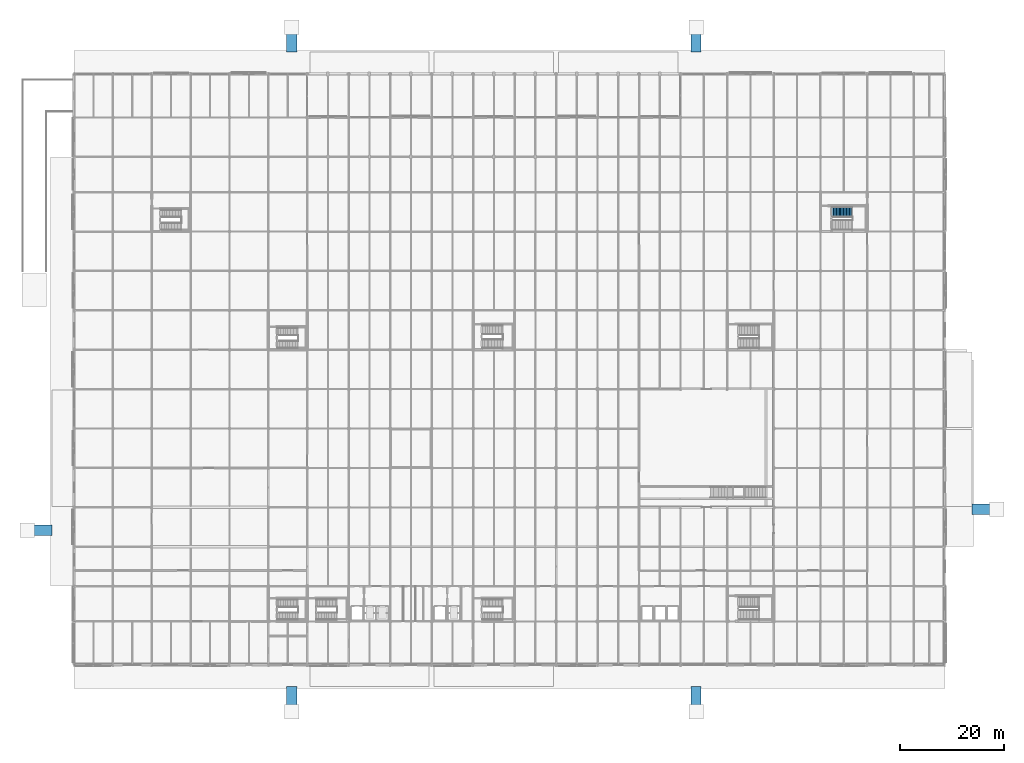
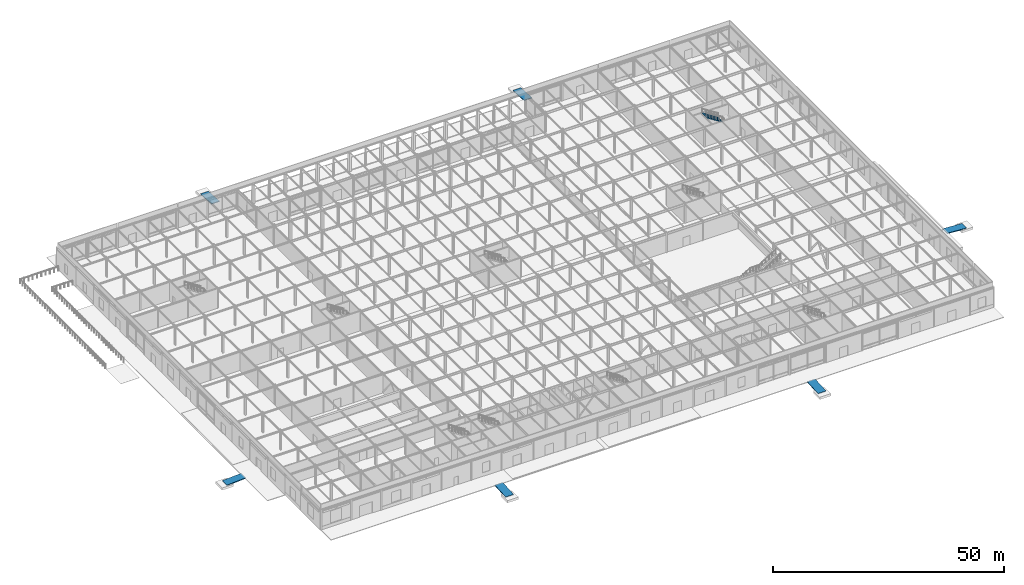
# One storey, part 74 of 89: 6 ramp flights, 1 stair flight, 7 elements without a shape of their own.
"""IFC4 building model written with IfcOpenShell, lengths in metres."""

from ifc_helpers import new_model, si_unit, direction, frame, origin, place, context, subcontext, project, spatial, polyline, outline, extrude, material, layer, layer_set, type_object, element, aggregate, save


model = new_model("IFC4")

# Units and contexts
model_context = context("Model", 3, precision=1e-05, world=origin(), true_north=direction((0.0, 1.0)))
body_context = subcontext(model_context, "Body", "Model", "MODEL_VIEW")
ifc_project = project(units=[si_unit("LENGTHUNIT", "METRE"), si_unit("AREAUNIT", "SQUARE_METRE"), si_unit("VOLUMEUNIT", "CUBIC_METRE"), si_unit("PLANEANGLEUNIT", "RADIAN"), si_unit("MASSUNIT", "GRAM", prefix="KILO")], contexts=[model_context])

# Site, building, storey
site_placement = place(None, origin())
site = spatial("IfcSite", under=ifc_project, at=site_placement, CompositionType="ELEMENT")
building_placement = place(site_placement, origin())
building = spatial("IfcBuilding", under=site, at=building_placement, Name="Shalkamar Park Central Library", CompositionType="ELEMENT")
storey_placement = place(building_placement, origin())
storey = spatial("IfcBuildingStorey", under=building, at=storey_placement, Name="L01", CompositionType="ELEMENT", Elevation=0.0)

# Stair, stair flight
ifc_material = material(Name="Concrete C35/45", Category="concrete")
stair_type = type_object("IfcStairType", Name="Protected Dog Leg Stair 200x540", PredefinedType="TWO_STRAIGHT_RUN_STAIR", material=ifc_material)
stair_placement = place(storey_placement, origin())
stair = element("IfcStair", 1, at=stair_placement, inside=storey, type_object=stair_type, Name="Protected Core Stair ST-P6-L01", PredefinedType="TWO_STRAIGHT_RUN_STAIR")
stair_flight_type = type_object("IfcStairFlightType", Name="Straight Stair Flight 200x540", PredefinedType="STRAIGHT", material=ifc_material)
stair_flight_placement = place(storey_placement, frame((270.14501953125, 327.3349609375, 2.699951171875), z_axis=(0.0, 0.0, 1.0), x_axis=(-1.0, 0.0, 0.0)))
stair_flight = element("IfcStairFlight", 2, at=stair_flight_placement, type_object=stair_flight_type, Name="ST-P6-L01 flight 2", NumberOfRisers=15, NumberOfTreads=14, PredefinedType="STRAIGHT", RiserHeight=0.18, TreadLength=0.28, context=body_context, shape_type="SweptSolid", body=[
    extrude(outline(polyline([(0.0, 0.0), (0.0, 0.179931640625), (0.280029296875, 0.179931640625), (0.280029296875, 0.360107421875), (0.56005859375, 0.360107421875), (0.56005859375, 0.5400390625), (0.840087890625, 0.5400390625), (0.840087890625, 0.719970703125), (1.1201171875, 0.719970703125), (1.1201171875, 0.89990234375), (1.39990234375, 0.89990234375), (1.39990234375, 1.080078125), (1.679931640625, 1.080078125), (1.679931640625, 1.260009765625), (1.9599609375, 1.260009765625), (1.9599609375, 1.43994140625), (2.239990234375, 1.43994140625), (2.239990234375, 1.6201171875), (2.52001953125, 1.6201171875), (2.52001953125, 1.800048828125), (2.800048828125, 1.800048828125), (2.800048828125, 1.97998046875), (3.080078125, 1.97998046875), (3.080078125, 2.159912109375), (3.360107421875, 2.159912109375), (3.360107421875, 2.340087890625), (3.639892578125, 2.340087890625), (3.639892578125, 2.52001953125), (3.919921875, 2.52001953125), (3.919921875, 2.699951171875), (3.919921875, 2.341796875), (0.277099609375, 0.0), (0.0, 0.0)])), frame((0.0, 1.0, 0.0), z_axis=(0.0, -1.0, 0.0), x_axis=(1.0, 0.0, 0.0)), (0.0, 0.0, 1.0), 2.0),
])
aggregate(stair, [stair_flight])

# Ramp, ramp flight
ramp_type = type_object("IfcRampType", Name="Accessible Approach Ramp", PredefinedType="STRAIGHT_RUN_RAMP", material=ifc_material)
ramp_1_placement = place(storey_placement, origin())
ramp_1 = element("IfcRamp", 3, at=ramp_1_placement, inside=storey, type_object=ramp_type, Name="Accessible Granite Approach Ramp RMP-N-W", PredefinedType="STRAIGHT_RUN_RAMP")
ifc_layer = layer(ifc_material, 0.199951171875)
ifc_layer_set = layer_set([ifc_layer], Name="Concrete C35/45")
ramp_flight_type = type_object("IfcRampFlightType", Name="Accessible Approach Ramp Flight", PredefinedType="STRAIGHT", material=ifc_layer_set)
ramp_flight_1_placement = place(storey_placement, frame((162.0, 363.0, -0.300048828125), z_axis=(0.0, 0.0, 1.0), x_axis=(0.0, -1.0, 0.0)))
ramp_flight_1 = element("IfcRampFlight", 4, at=ramp_flight_1_placement, type_object=ramp_flight_type, Name="Accessible Ramp Flight RMP-N-W", PredefinedType="STRAIGHT", context=body_context, shape_type="SweptSolid", body=[
    extrude(outline(polyline([(0.0, 0.0), (0.0, -0.199951171875), (0.35009765625, -0.199951171875), (4.449951171875, 0.10009765625), (4.800048828125, 0.10009765625), (4.800048828125, 0.300048828125), (0.0, 0.0)])), frame((0.0, 1.0, 0.0), z_axis=(0.0, -1.0, 0.0), x_axis=(1.0, 0.0, 0.0)), (0.0, 0.0, 1.0), 2.0),
])
aggregate(ramp_1, [ramp_flight_1])

ramp_2_placement = place(storey_placement, origin())
ramp_2 = element("IfcRamp", 5, at=ramp_2_placement, inside=storey, type_object=ramp_type, Name="Accessible Granite Approach Ramp RMP-N-E", PredefinedType="STRAIGHT_RUN_RAMP")
ramp_flight_2_placement = place(storey_placement, frame((240.0, 363.0, -0.300048828125), z_axis=(0.0, 0.0, 1.0), x_axis=(0.0, -1.0, 0.0)))
ramp_flight_2 = element("IfcRampFlight", 6, at=ramp_flight_2_placement, type_object=ramp_flight_type, Name="Accessible Ramp Flight RMP-N-E", PredefinedType="STRAIGHT", context=body_context, shape_type="SweptSolid", body=[
    extrude(outline(polyline([(0.0, 0.0), (0.0, -0.199951171875), (0.35009765625, -0.199951171875), (4.449951171875, 0.10009765625), (4.800048828125, 0.10009765625), (4.800048828125, 0.300048828125), (0.0, 0.0)])), frame((0.0, 1.0, 0.0), z_axis=(0.0, -1.0, 0.0), x_axis=(1.0, 0.0, 0.0)), (0.0, 0.0, 1.0), 2.0),
])
aggregate(ramp_2, [ramp_flight_2])

ramp_3_placement = place(storey_placement, origin())
ramp_3 = element("IfcRamp", 7, at=ramp_3_placement, inside=storey, type_object=ramp_type, Name="Accessible Granite Approach Ramp RMP-S-W", PredefinedType="STRAIGHT_RUN_RAMP")
ramp_flight_3_placement = place(storey_placement, frame((162.0, 231.0, -0.300048828125), z_axis=(0.0, 0.0, 1.0), x_axis=(0.0, 1.0, 0.0)))
ramp_flight_3 = element("IfcRampFlight", 8, at=ramp_flight_3_placement, type_object=ramp_flight_type, Name="Accessible Ramp Flight RMP-S-W", PredefinedType="STRAIGHT", context=body_context, shape_type="SweptSolid", body=[
    extrude(outline(polyline([(0.0, 0.0), (0.0, -0.199951171875), (0.35009765625, -0.199951171875), (4.449951171875, 0.10009765625), (4.800048828125, 0.10009765625), (4.800048828125, 0.300048828125), (0.0, 0.0)])), frame((0.0, 1.0, 0.0), z_axis=(0.0, -1.0, 0.0), x_axis=(1.0, 0.0, 0.0)), (0.0, 0.0, 1.0), 2.0),
])
aggregate(ramp_3, [ramp_flight_3])

ramp_4_placement = place(storey_placement, origin())
ramp_4 = element("IfcRamp", 9, at=ramp_4_placement, inside=storey, type_object=ramp_type, Name="Accessible Granite Approach Ramp RMP-S-E", PredefinedType="STRAIGHT_RUN_RAMP")
ramp_flight_4_placement = place(storey_placement, frame((240.0, 231.0, -0.300048828125), z_axis=(0.0, 0.0, 1.0), x_axis=(0.0, 1.0, 0.0)))
ramp_flight_4 = element("IfcRampFlight", 10, at=ramp_flight_4_placement, type_object=ramp_flight_type, Name="Accessible Ramp Flight RMP-S-E", PredefinedType="STRAIGHT", context=body_context, shape_type="SweptSolid", body=[
    extrude(outline(polyline([(0.0, 0.0), (0.0, -0.199951171875), (0.35009765625, -0.199951171875), (4.449951171875, 0.10009765625), (4.800048828125, 0.10009765625), (4.800048828125, 0.300048828125), (0.0, 0.0)])), frame((0.0, 1.0, 0.0), z_axis=(0.0, -1.0, 0.0), x_axis=(1.0, 0.0, 0.0)), (0.0, 0.0, 1.0), 2.0),
])
aggregate(ramp_4, [ramp_flight_4])

ramp_5_placement = place(storey_placement, origin())
ramp_5 = element("IfcRamp", 11, at=ramp_5_placement, inside=storey, type_object=ramp_type, Name="Accessible Granite Approach Ramp RMP-W-M", PredefinedType="STRAIGHT_RUN_RAMP")
ramp_flight_5_placement = place(storey_placement, frame((111.0, 266.0, -0.300048828125), z_axis=(0.0, 0.0, 1.0), x_axis=(1.0, 0.0, 0.0)))
ramp_flight_5 = element("IfcRampFlight", 12, at=ramp_flight_5_placement, type_object=ramp_flight_type, Name="Accessible Ramp Flight RMP-W-M", PredefinedType="STRAIGHT", context=body_context, shape_type="SweptSolid", body=[
    extrude(outline(polyline([(0.0, 0.0), (0.0, -0.199951171875), (0.35009765625, -0.199951171875), (4.449951171875, 0.10009765625), (4.800048828125, 0.10009765625), (4.800048828125, 0.300048828125), (0.0, 0.0)])), frame((0.0, 1.0, 0.0), z_axis=(0.0, -1.0, 0.0), x_axis=(1.0, 0.0, 0.0)), (0.0, 0.0, 1.0), 2.0),
])
aggregate(ramp_5, [ramp_flight_5])

ramp_6_placement = place(storey_placement, origin())
ramp_6 = element("IfcRamp", 13, at=ramp_6_placement, inside=storey, type_object=ramp_type, Name="Accessible Granite Approach Ramp RMP-E-M", PredefinedType="STRAIGHT_RUN_RAMP")
ramp_flight_6_placement = place(storey_placement, frame((298.0, 270.0, -0.300048828125), z_axis=(0.0, 0.0, 1.0), x_axis=(-1.0, 0.0, 0.0)))
ramp_flight_6 = element("IfcRampFlight", 14, at=ramp_flight_6_placement, type_object=ramp_flight_type, Name="Accessible Ramp Flight RMP-E-M", PredefinedType="STRAIGHT", context=body_context, shape_type="SweptSolid", body=[
    extrude(outline(polyline([(0.0, 0.0), (0.0, -0.199951171875), (0.35009765625, -0.199951171875), (4.449951171875, 0.10009765625), (4.800048828125, 0.10009765625), (4.800048828125, 0.300048828125), (0.0, 0.0)])), frame((0.0, 1.0, 0.0), z_axis=(0.0, -1.0, 0.0), x_axis=(1.0, 0.0, 0.0)), (0.0, 0.0, 1.0), 2.0),
])
aggregate(ramp_6, [ramp_flight_6])

save(model, "model.ifc")
